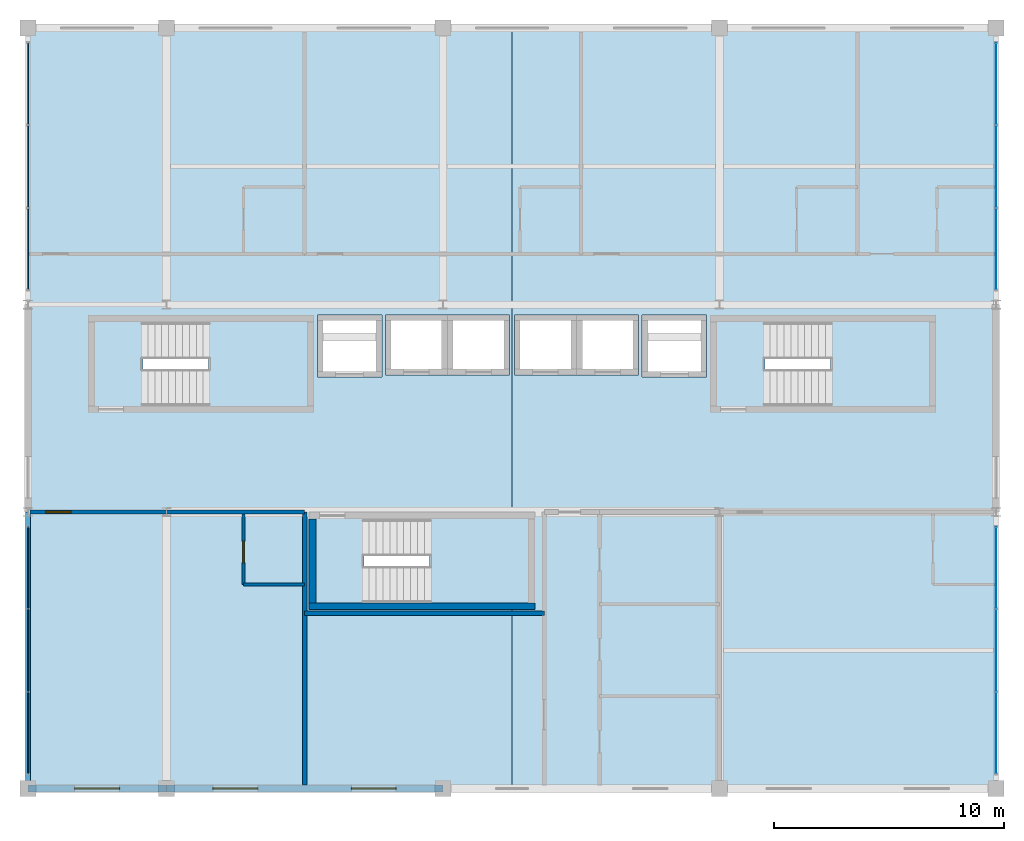
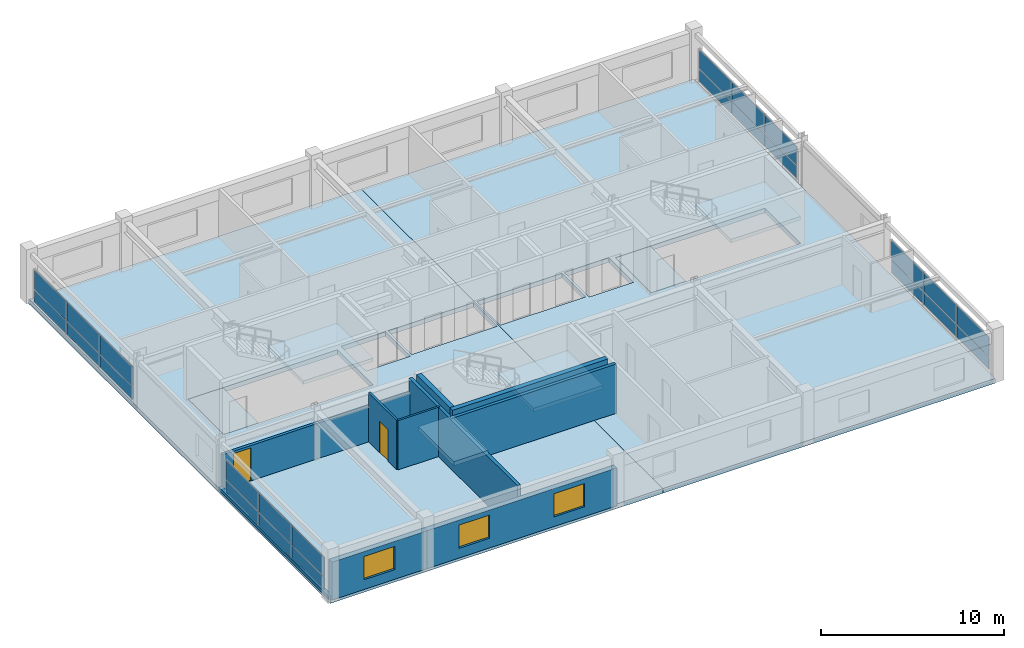
# One storey, part 18 of 22: 24 plates, 10 walls, 8 slabs, 3 windows, 2 doors, 5 openings, 7 elements without a shape of their own.
"""IFC4 building model written with IfcOpenShell, lengths in metres."""

from ifc_helpers import new_model, si_unit, direction, frame, frame_2d, origin, origin_2d, place, context, subcontext, project, spatial, polyline, rectangle, outline, extrude, material, layer, layer_set, type_object, element, fill, aggregate, save


model = new_model("IFC4")

# Units and contexts
model_context = context("Model", 3, precision=1e-05, world=origin(), true_north=direction((0.0, 1.0)))
body_context = subcontext(model_context, "Body", "Model", "MODEL_VIEW")
ifc_project = project(units=[si_unit("LENGTHUNIT", "METRE"), si_unit("AREAUNIT", "SQUARE_METRE"), si_unit("VOLUMEUNIT", "CUBIC_METRE"), si_unit("PLANEANGLEUNIT", "RADIAN"), si_unit("MASSUNIT", "GRAM", prefix="KILO")], contexts=[model_context])

# Site, building, storey
site_placement = place(None, origin())
site = spatial("IfcSite", under=ifc_project, at=site_placement, CompositionType="ELEMENT")
building_placement = place(site_placement, origin())
building = spatial("IfcBuilding", under=site, at=building_placement, Name="Kaldorvane Square Convention Centre", CompositionType="ELEMENT")
storey_placement = place(building_placement, frame((0.0, 0.0, 63.600006103515625)))
storey = spatial("IfcBuildingStorey", under=building, at=storey_placement, Name="L15", CompositionType="ELEMENT", Elevation=63.600006103515625)

# Curtain wall, plates
ifc_material_1 = material(Name="Anodized Aluminum and Low-E Insulated Glazing", Category="aluminium")
curtain_wall_type_1 = type_object("IfcCurtainWallType", Name="CW-UNI-HTL-A", PredefinedType="USERDEFINED", material=ifc_material_1)
curtain_wall_1_placement = place(storey_placement, origin())
curtain_wall_1 = element("IfcCurtainWall", 1, at=curtain_wall_1_placement, inside=storey, type_object=curtain_wall_type_1, Name="Curtain Wall CW-10 (L15)", ObjectType="UNITISED GLAZING", PredefinedType="USERDEFINED")
ifc_layer_1 = layer(ifc_material_1, 0.0240020751953125)
ifc_layer_set_1 = layer_set([ifc_layer_1], Name="Anodized Aluminum and Low-E Insulated Glazing")
plate_type_1 = type_object("IfcPlateType", Name="CW-PNL-11", PredefinedType="CURTAIN_PANEL", material=ifc_layer_set_1)
plate_1_placement = place(storey_placement, frame((78.0, 86.41499328613281, 0.204986572265625), z_axis=(0.0, 0.0, 1.0), x_axis=(0.0, 1.0, 0.0)))
plate_1 = element("IfcPlate", 2, at=plate_1_placement, type_object=plate_type_1, Name="CW-10 panel 1.1", PredefinedType="CURTAIN_PANEL", context=body_context, shape_type="SweptSolid", body=[
    extrude(rectangle(XDim=3.5099945068359375, YDim=0.0240020751953125, at=origin_2d()), origin(), (0.0, 0.0, 1.0), 0.8175048828125),
])
plate_2_placement = place(storey_placement, frame((78.0, 86.41499328613281, 1.0774993896484375), z_axis=(0.0, 0.0, 1.0), x_axis=(0.0, 1.0, 0.0)))
plate_2 = element("IfcPlate", 3, at=plate_2_placement, type_object=plate_type_1, Name="CW-10 panel 1.2", PredefinedType="CURTAIN_PANEL", context=body_context, shape_type="SweptSolid", body=[
    extrude(rectangle(XDim=3.5099945068359375, YDim=0.0240020751953125, at=origin_2d()), origin(), (0.0, 0.0, 1.0), 1.277496337890625),
])
plate_3_placement = place(storey_placement, frame((78.0, 90.0, 0.204986572265625), z_axis=(0.0, 0.0, 1.0), x_axis=(0.0, 1.0, 0.0)))
plate_3 = element("IfcPlate", 4, at=plate_3_placement, type_object=plate_type_1, Name="CW-10 panel 2.1", PredefinedType="CURTAIN_PANEL", context=body_context, shape_type="SweptSolid", body=[
    extrude(rectangle(XDim=3.5399932861328125, YDim=0.0240020751953125, at=origin_2d()), origin(), (0.0, 0.0, 1.0), 0.8175048828125),
])
plate_4_placement = place(storey_placement, frame((78.0, 90.0, 1.0774993896484375), z_axis=(0.0, 0.0, 1.0), x_axis=(0.0, 1.0, 0.0)))
plate_4 = element("IfcPlate", 5, at=plate_4_placement, type_object=plate_type_1, Name="CW-10 panel 2.2", PredefinedType="CURTAIN_PANEL", context=body_context, shape_type="SweptSolid", body=[
    extrude(rectangle(XDim=3.5399932861328125, YDim=0.0240020751953125, at=origin_2d()), origin(), (0.0, 0.0, 1.0), 1.277496337890625),
])
plate_5_placement = place(storey_placement, frame((78.0, 93.58500671386719, 0.204986572265625), z_axis=(0.0, 0.0, 1.0), x_axis=(0.0, 1.0, 0.0)))
plate_5 = element("IfcPlate", 6, at=plate_5_placement, type_object=plate_type_1, Name="CW-10 panel 3.1", PredefinedType="CURTAIN_PANEL", context=body_context, shape_type="SweptSolid", body=[
    extrude(rectangle(XDim=3.5099945068359375, YDim=0.0240020751953125, at=origin_2d()), origin(), (0.0, 0.0, 1.0), 0.8175048828125),
])
plate_6_placement = place(storey_placement, frame((78.0, 93.58500671386719, 1.0774993896484375), z_axis=(0.0, 0.0, 1.0), x_axis=(0.0, 1.0, 0.0)))
plate_6 = element("IfcPlate", 7, at=plate_6_placement, type_object=plate_type_1, Name="CW-10 panel 3.2", PredefinedType="CURTAIN_PANEL", context=body_context, shape_type="SweptSolid", body=[
    extrude(rectangle(XDim=3.5099945068359375, YDim=0.0240020751953125, at=origin_2d()), origin(), (0.0, 0.0, 1.0), 1.277496337890625),
])
aggregate(curtain_wall_1, [plate_1, plate_2, plate_3, plate_4, plate_5, plate_6])

curtain_wall_2_placement = place(storey_placement, origin())
curtain_wall_2 = element("IfcCurtainWall", 8, at=curtain_wall_2_placement, inside=storey, type_object=curtain_wall_type_1, Name="Curtain Wall CW-10 (L15)", ObjectType="UNITISED GLAZING", PredefinedType="USERDEFINED")
plate_7_placement = place(storey_placement, frame((78.0, 107.41499328613281, 0.204986572265625), z_axis=(0.0, 0.0, 1.0), x_axis=(0.0, 1.0, 0.0)))
plate_7 = element("IfcPlate", 9, at=plate_7_placement, type_object=plate_type_1, Name="CW-10 panel 1.1", PredefinedType="CURTAIN_PANEL", context=body_context, shape_type="SweptSolid", body=[
    extrude(rectangle(XDim=3.5099945068359375, YDim=0.0240020751953125, at=origin_2d()), origin(), (0.0, 0.0, 1.0), 0.8175048828125),
])
plate_8_placement = place(storey_placement, frame((78.0, 107.41499328613281, 1.0774993896484375), z_axis=(0.0, 0.0, 1.0), x_axis=(0.0, 1.0, 0.0)))
plate_8 = element("IfcPlate", 10, at=plate_8_placement, type_object=plate_type_1, Name="CW-10 panel 1.2", PredefinedType="CURTAIN_PANEL", context=body_context, shape_type="SweptSolid", body=[
    extrude(rectangle(XDim=3.5099945068359375, YDim=0.0240020751953125, at=origin_2d()), origin(), (0.0, 0.0, 1.0), 1.277496337890625),
])
plate_9_placement = place(storey_placement, frame((78.0, 111.0, 0.204986572265625), z_axis=(0.0, 0.0, 1.0), x_axis=(0.0, 1.0, 0.0)))
plate_9 = element("IfcPlate", 11, at=plate_9_placement, type_object=plate_type_1, Name="CW-10 panel 2.1", PredefinedType="CURTAIN_PANEL", context=body_context, shape_type="SweptSolid", body=[
    extrude(rectangle(XDim=3.5399932861328125, YDim=0.0240020751953125, at=origin_2d()), origin(), (0.0, 0.0, 1.0), 0.8175048828125),
])
plate_10_placement = place(storey_placement, frame((78.0, 111.0, 1.0774993896484375), z_axis=(0.0, 0.0, 1.0), x_axis=(0.0, 1.0, 0.0)))
plate_10 = element("IfcPlate", 12, at=plate_10_placement, type_object=plate_type_1, Name="CW-10 panel 2.2", PredefinedType="CURTAIN_PANEL", context=body_context, shape_type="SweptSolid", body=[
    extrude(rectangle(XDim=3.5399932861328125, YDim=0.0240020751953125, at=origin_2d()), origin(), (0.0, 0.0, 1.0), 1.277496337890625),
])
plate_11_placement = place(storey_placement, frame((78.0, 114.58500671386719, 0.204986572265625), z_axis=(0.0, 0.0, 1.0), x_axis=(0.0, 1.0, 0.0)))
plate_11 = element("IfcPlate", 13, at=plate_11_placement, type_object=plate_type_1, Name="CW-10 panel 3.1", PredefinedType="CURTAIN_PANEL", context=body_context, shape_type="SweptSolid", body=[
    extrude(rectangle(XDim=3.5099945068359375, YDim=0.0240020751953125, at=origin_2d()), origin(), (0.0, 0.0, 1.0), 0.8175048828125),
])
plate_12_placement = place(storey_placement, frame((78.0, 114.58500671386719, 1.0774993896484375), z_axis=(0.0, 0.0, 1.0), x_axis=(0.0, 1.0, 0.0)))
plate_12 = element("IfcPlate", 14, at=plate_12_placement, type_object=plate_type_1, Name="CW-10 panel 3.2", PredefinedType="CURTAIN_PANEL", context=body_context, shape_type="SweptSolid", body=[
    extrude(rectangle(XDim=3.5099945068359375, YDim=0.0240020751953125, at=origin_2d()), origin(), (0.0, 0.0, 1.0), 1.277496337890625),
])
aggregate(curtain_wall_2, [plate_7, plate_8, plate_9, plate_10, plate_11, plate_12])

curtain_wall_type_2 = type_object("IfcCurtainWallType", Name="CW-UNI-HTL-B", PredefinedType="USERDEFINED", material=ifc_material_1)
curtain_wall_3_placement = place(storey_placement, origin())
curtain_wall_3 = element("IfcCurtainWall", 15, at=curtain_wall_3_placement, inside=storey, type_object=curtain_wall_type_2, Name="Curtain Wall CW-11 (L15)", ObjectType="UNITISED GLAZING", PredefinedType="USERDEFINED")
ifc_layer_2 = layer(ifc_material_1, 0.0460052490234375)
ifc_layer_set_2 = layer_set([ifc_layer_2], Name="Anodized Aluminum and Low-E Insulated Glazing")
plate_type_2 = type_object("IfcPlateType", Name="CW-PNL-12", PredefinedType="CURTAIN_PANEL", material=ifc_layer_set_2)
plate_13_placement = place(storey_placement, frame((36.0, 93.58500671386719, 0.204986572265625), z_axis=(0.0, 0.0, 1.0), x_axis=(0.0, -1.0, 0.0)))
plate_13 = element("IfcPlate", 16, at=plate_13_placement, type_object=plate_type_2, Name="CW-11 panel 1.1", PredefinedType="CURTAIN_PANEL", context=body_context, shape_type="SweptSolid", body=[
    extrude(rectangle(XDim=3.5099945068359375, YDim=0.0460052490234375, at=origin_2d()), origin(), (0.0, 0.0, 1.0), 0.8175048828125),
])
plate_14_placement = place(storey_placement, frame((36.0, 93.58500671386719, 1.0774993896484375), z_axis=(0.0, 0.0, 1.0), x_axis=(0.0, -1.0, 0.0)))
plate_14 = element("IfcPlate", 17, at=plate_14_placement, type_object=plate_type_2, Name="CW-11 panel 1.2", PredefinedType="CURTAIN_PANEL", context=body_context, shape_type="SweptSolid", body=[
    extrude(rectangle(XDim=3.5099945068359375, YDim=0.0460052490234375, at=origin_2d()), origin(), (0.0, 0.0, 1.0), 1.277496337890625),
])
plate_15_placement = place(storey_placement, frame((36.0, 90.0, 0.204986572265625), z_axis=(0.0, 0.0, 1.0), x_axis=(0.0, -1.0, 0.0)))
plate_15 = element("IfcPlate", 18, at=plate_15_placement, type_object=plate_type_2, Name="CW-11 panel 2.1", PredefinedType="CURTAIN_PANEL", context=body_context, shape_type="SweptSolid", body=[
    extrude(rectangle(XDim=3.5399932861328125, YDim=0.0460052490234375, at=origin_2d()), origin(), (0.0, 0.0, 1.0), 0.8175048828125),
])
plate_16_placement = place(storey_placement, frame((36.0, 90.0, 1.0774993896484375), z_axis=(0.0, 0.0, 1.0), x_axis=(0.0, -1.0, 0.0)))
plate_16 = element("IfcPlate", 19, at=plate_16_placement, type_object=plate_type_2, Name="CW-11 panel 2.2", PredefinedType="CURTAIN_PANEL", context=body_context, shape_type="SweptSolid", body=[
    extrude(rectangle(XDim=3.5399932861328125, YDim=0.0460052490234375, at=origin_2d()), origin(), (0.0, 0.0, 1.0), 1.277496337890625),
])
plate_17_placement = place(storey_placement, frame((36.0, 86.41499328613281, 0.204986572265625), z_axis=(0.0, 0.0, 1.0), x_axis=(0.0, -1.0, 0.0)))
plate_17 = element("IfcPlate", 20, at=plate_17_placement, type_object=plate_type_2, Name="CW-11 panel 3.1", PredefinedType="CURTAIN_PANEL", context=body_context, shape_type="SweptSolid", body=[
    extrude(rectangle(XDim=3.5099945068359375, YDim=0.0460052490234375, at=origin_2d()), origin(), (0.0, 0.0, 1.0), 0.8175048828125),
])
plate_18_placement = place(storey_placement, frame((36.0, 86.41499328613281, 1.0774993896484375), z_axis=(0.0, 0.0, 1.0), x_axis=(0.0, -1.0, 0.0)))
plate_18 = element("IfcPlate", 21, at=plate_18_placement, type_object=plate_type_2, Name="CW-11 panel 3.2", PredefinedType="CURTAIN_PANEL", context=body_context, shape_type="SweptSolid", body=[
    extrude(rectangle(XDim=3.5099945068359375, YDim=0.0460052490234375, at=origin_2d()), origin(), (0.0, 0.0, 1.0), 1.277496337890625),
])
aggregate(curtain_wall_3, [plate_13, plate_14, plate_15, plate_16, plate_17, plate_18])

curtain_wall_4_placement = place(storey_placement, origin())
curtain_wall_4 = element("IfcCurtainWall", 22, at=curtain_wall_4_placement, inside=storey, type_object=curtain_wall_type_2, Name="Curtain Wall CW-11 (L15)", ObjectType="UNITISED GLAZING", PredefinedType="USERDEFINED")
plate_19_placement = place(storey_placement, frame((36.0, 114.58500671386719, 0.204986572265625), z_axis=(0.0, 0.0, 1.0), x_axis=(0.0, -1.0, 0.0)))
plate_19 = element("IfcPlate", 23, at=plate_19_placement, type_object=plate_type_2, Name="CW-11 panel 1.1", PredefinedType="CURTAIN_PANEL", context=body_context, shape_type="SweptSolid", body=[
    extrude(rectangle(XDim=3.5099945068359375, YDim=0.0460052490234375, at=origin_2d()), origin(), (0.0, 0.0, 1.0), 0.8175048828125),
])
plate_20_placement = place(storey_placement, frame((36.0, 114.58500671386719, 1.0774993896484375), z_axis=(0.0, 0.0, 1.0), x_axis=(0.0, -1.0, 0.0)))
plate_20 = element("IfcPlate", 24, at=plate_20_placement, type_object=plate_type_2, Name="CW-11 panel 1.2", PredefinedType="CURTAIN_PANEL", context=body_context, shape_type="SweptSolid", body=[
    extrude(rectangle(XDim=3.5099945068359375, YDim=0.0460052490234375, at=origin_2d()), origin(), (0.0, 0.0, 1.0), 1.277496337890625),
])
plate_21_placement = place(storey_placement, frame((36.0, 111.0, 0.204986572265625), z_axis=(0.0, 0.0, 1.0), x_axis=(0.0, -1.0, 0.0)))
plate_21 = element("IfcPlate", 25, at=plate_21_placement, type_object=plate_type_2, Name="CW-11 panel 2.1", PredefinedType="CURTAIN_PANEL", context=body_context, shape_type="SweptSolid", body=[
    extrude(rectangle(XDim=3.5399932861328125, YDim=0.0460052490234375, at=origin_2d()), origin(), (0.0, 0.0, 1.0), 0.8175048828125),
])
plate_22_placement = place(storey_placement, frame((36.0, 111.0, 1.0774993896484375), z_axis=(0.0, 0.0, 1.0), x_axis=(0.0, -1.0, 0.0)))
plate_22 = element("IfcPlate", 26, at=plate_22_placement, type_object=plate_type_2, Name="CW-11 panel 2.2", PredefinedType="CURTAIN_PANEL", context=body_context, shape_type="SweptSolid", body=[
    extrude(rectangle(XDim=3.5399932861328125, YDim=0.0460052490234375, at=origin_2d()), origin(), (0.0, 0.0, 1.0), 1.277496337890625),
])
plate_23_placement = place(storey_placement, frame((36.0, 107.41499328613281, 0.204986572265625), z_axis=(0.0, 0.0, 1.0), x_axis=(0.0, -1.0, 0.0)))
plate_23 = element("IfcPlate", 27, at=plate_23_placement, type_object=plate_type_2, Name="CW-11 panel 3.1", PredefinedType="CURTAIN_PANEL", context=body_context, shape_type="SweptSolid", body=[
    extrude(rectangle(XDim=3.5099945068359375, YDim=0.0460052490234375, at=origin_2d()), origin(), (0.0, 0.0, 1.0), 0.8175048828125),
])
plate_24_placement = place(storey_placement, frame((36.0, 107.41499328613281, 1.0774993896484375), z_axis=(0.0, 0.0, 1.0), x_axis=(0.0, -1.0, 0.0)))
plate_24 = element("IfcPlate", 28, at=plate_24_placement, type_object=plate_type_2, Name="CW-11 panel 3.2", PredefinedType="CURTAIN_PANEL", context=body_context, shape_type="SweptSolid", body=[
    extrude(rectangle(XDim=3.5099945068359375, YDim=0.0460052490234375, at=origin_2d()), origin(), (0.0, 0.0, 1.0), 1.277496337890625),
])
aggregate(curtain_wall_4, [plate_19, plate_20, plate_21, plate_22, plate_23, plate_24])

# Slabs
ifc_material_2 = material(Name="Concrete f'c = 42 MPa (Normalweight)", Category="concrete")
ifc_layer_3 = layer(ifc_material_2, 0.279998779296875)
ifc_layer_set_3 = layer_set([ifc_layer_3], Name="Concrete f'c = 42 MPa (Normalweight)")
slab_type_1 = type_object("IfcSlabType", Name="SL-FLND-280", PredefinedType="FLOOR", material=ifc_layer_set_3)
slab_1_placement = place(storey_placement, frame((0.0, 0.0, -0.279998779296875)))
element("IfcSlab", 29, at=slab_1_placement, inside=storey, type_object=slab_type_1, Name="Tower Exit Stair T1 Floor Landing (L15)", PredefinedType="FLOOR", context=body_context, shape_type="SweptSolid", body=[
    extrude(outline(polyline([(38.779998779296875, 100.49000549316406), (40.97999572753906, 100.49000549316406), (40.97999572753906, 104.3699951171875), (38.779998779296875, 104.3699951171875), (38.779998779296875, 100.49000549316406)])), origin(), (0.0, 0.0, 1.0), 0.279998779296875),
])
slab_2_placement = place(storey_placement, frame((0.0, 0.0, -0.279998779296875)))
element("IfcSlab", 30, at=slab_2_placement, inside=storey, type_object=slab_type_1, Name="Tower Exit Stair T2 Floor Landing (L15)", PredefinedType="FLOOR", context=body_context, shape_type="SweptSolid", body=[
    extrude(outline(polyline([(65.77999877929688, 100.49000549316406), (67.97999572753906, 100.49000549316406), (67.97999572753906, 104.3699951171875), (65.77999877929688, 104.3699951171875), (65.77999877929688, 100.49000549316406)])), origin(), (0.0, 0.0, 1.0), 0.279998779296875),
])
slab_3_placement = place(storey_placement, frame((0.0, 0.0, -0.279998779296875)))
element("IfcSlab", 31, at=slab_3_placement, inside=storey, type_object=slab_type_1, Name="Tower Exit Stair T3 Floor Landing (L15)", PredefinedType="FLOOR", context=body_context, shape_type="SweptSolid", body=[
    extrude(outline(polyline([(48.3800048828125, 91.94000244140625), (50.58000183105469, 91.94000244140625), (50.58000183105469, 95.82000732421875), (48.3800048828125, 95.82000732421875), (48.3800048828125, 91.94000244140625)])), origin(), (0.0, 0.0, 1.0), 0.279998779296875),
])
ifc_layer_4 = layer(ifc_material_2, 0.30999755859375)
ifc_layer_set_4 = layer_set([ifc_layer_4], Name="Concrete f'c = 42 MPa (Normalweight)")
slab_type_2 = type_object("IfcSlabType", Name="SL-HTL-250", PredefinedType="FLOOR", material=ifc_layer_set_4)
slab_4_placement = place(storey_placement, frame((0.0, 0.0, -0.3100128173828125)))
element("IfcSlab", 32, at=slab_4_placement, inside=storey, type_object=slab_type_2, Name="Hotel Tower Floor Slab L15-1.1", PredefinedType="FLOOR", context=body_context, shape_type="SweptSolid", body=[
    extrude(outline(polyline([(36.0, 117.0), (57.0, 117.0), (57.0, 95.82000732421875), (48.3800048828125, 95.82000732421875), (48.3800048828125, 91.94000244140625), (57.0, 91.94000244140625), (57.0, 84.0), (36.0, 84.0), (36.0, 117.0)]), holes=[polyline([(38.779998779296875, 104.3699951171875), (38.779998779296875, 100.49000549316406), (48.220001220703125, 100.49000549316406), (48.220001220703125, 104.3699951171875), (38.779998779296875, 104.3699951171875)]), polyline([(48.55000305175781, 104.55000305175781), (48.55000305175781, 101.85000610351562), (51.350006103515625, 101.85000610351562), (51.350006103515625, 104.55000305175781), (48.55000305175781, 104.55000305175781)]), polyline([(51.5, 104.55000305175781), (51.5, 101.94999694824219), (54.19999694824219, 101.94999694824219), (56.899993896484375, 101.94999694824219), (56.899993896484375, 104.55000305175781), (54.19999694824219, 104.55000305175781), (51.5, 104.55000305175781)])]), origin(), (0.0, 0.0, 1.0), 0.3100128173828125),
])
slab_5_placement = place(storey_placement, frame((0.0, 0.0, -0.3100128173828125)))
element("IfcSlab", 33, at=slab_5_placement, inside=storey, type_object=slab_type_2, Name="Hotel Tower Floor Slab L15-2.1", PredefinedType="FLOOR", context=body_context, shape_type="SweptSolid", body=[
    extrude(outline(polyline([(78.0, 117.0), (78.0, 84.0), (57.0, 84.0), (57.0, 91.94000244140625), (57.82000732421875, 91.94000244140625), (57.82000732421875, 95.82000732421875), (57.0, 95.82000732421875), (57.0, 117.0), (78.0, 117.0)]), holes=[polyline([(65.77999877929688, 104.3699951171875), (65.77999877929688, 100.49000549316406), (75.22000122070312, 100.49000549316406), (75.22000122070312, 104.3699951171875), (65.77999877929688, 104.3699951171875)]), polyline([(62.649993896484375, 104.55000305175781), (62.649993896484375, 101.85000610351562), (65.44999694824219, 101.85000610351562), (65.44999694824219, 104.55000305175781), (62.649993896484375, 104.55000305175781)]), polyline([(57.100006103515625, 104.55000305175781), (57.100006103515625, 101.94999694824219), (59.80000305175781, 101.94999694824219), (62.5, 101.94999694824219), (62.5, 104.55000305175781), (59.80000305175781, 104.55000305175781), (57.100006103515625, 104.55000305175781)])]), origin(), (0.0, 0.0, 1.0), 0.3100128173828125),
])

# Stair, slab
stair_type = type_object("IfcStairType", Name="ST-DL-1600-3600", PredefinedType="HALF_TURN_STAIR", material=ifc_material_2)
stair_1_placement = place(storey_placement, origin())
stair_1 = element("IfcStair", 34, at=stair_1_placement, inside=storey, type_object=stair_type, Name="Tower Exit Stair T1 (L15)", PredefinedType="HALF_TURN_STAIR")
ifc_layer_5 = layer(ifc_material_2, 0.2400054931640625)
ifc_layer_set_5 = layer_set([ifc_layer_5], Name="Concrete f'c = 42 MPa (Normalweight)")
slab_type_3 = type_object("IfcSlabType", Name="SL-LAND-240", PredefinedType="LANDING", material=ifc_layer_set_5)
slab_6_placement = place(storey_placement, frame((0.0, 0.0, 1.55999755859375)))
slab_6 = element("IfcSlab", 35, at=slab_6_placement, type_object=slab_type_3, Name="Tower Exit Stair T1 Half Landing (L15)", PredefinedType="LANDING", context=body_context, shape_type="SweptSolid", body=[
    extrude(outline(polyline([(43.82000732421875, 100.49000549316406), (48.220001220703125, 100.49000549316406), (48.220001220703125, 104.3699951171875), (43.82000732421875, 104.3699951171875), (43.82000732421875, 100.49000549316406)])), origin(), (0.0, 0.0, 1.0), 0.239990234375),
])
aggregate(stair_1, [slab_6])

stair_2_placement = place(storey_placement, origin())
stair_2 = element("IfcStair", 36, at=stair_2_placement, inside=storey, type_object=stair_type, Name="Tower Exit Stair T2 (L15)", PredefinedType="HALF_TURN_STAIR")
slab_7_placement = place(storey_placement, frame((0.0, 0.0, 1.55999755859375)))
slab_7 = element("IfcSlab", 37, at=slab_7_placement, type_object=slab_type_3, Name="Tower Exit Stair T2 Half Landing (L15)", PredefinedType="LANDING", context=body_context, shape_type="SweptSolid", body=[
    extrude(outline(polyline([(70.82000732421875, 100.49000549316406), (75.22000122070312, 100.49000549316406), (75.22000122070312, 104.3699951171875), (70.82000732421875, 104.3699951171875), (70.82000732421875, 100.49000549316406)])), origin(), (0.0, 0.0, 1.0), 0.239990234375),
])
aggregate(stair_2, [slab_7])

stair_3_placement = place(storey_placement, origin())
stair_3 = element("IfcStair", 38, at=stair_3_placement, inside=storey, type_object=stair_type, Name="Tower Exit Stair T3 (L15)", PredefinedType="HALF_TURN_STAIR")
slab_8_placement = place(storey_placement, frame((0.0, 0.0, 1.55999755859375)))
slab_8 = element("IfcSlab", 39, at=slab_8_placement, type_object=slab_type_3, Name="Tower Exit Stair T3 Half Landing (L15)", PredefinedType="LANDING", context=body_context, shape_type="SweptSolid", body=[
    extrude(outline(polyline([(53.41999816894531, 91.94000244140625), (57.82000732421875, 91.94000244140625), (57.82000732421875, 95.82000732421875), (53.41999816894531, 95.82000732421875), (53.41999816894531, 91.94000244140625)])), origin(), (0.0, 0.0, 1.0), 0.239990234375),
])
aggregate(stair_3, [slab_8])

# Wall, opening, door
ifc_material_3 = material(Name="Fire-Rated Gypsum Board on Acoustic Steel Studs", Category="steel")
ifc_layer_6 = layer(ifc_material_3, 0.125)
ifc_layer_set_6 = layer_set([ifc_layer_6], Name="Fire-Rated Gypsum Board on Acoustic Steel Studs")
wall_type_1 = type_object("IfcWallType", Name="WL-BATH-125", PredefinedType="PARTITIONING", material=ifc_layer_set_6)
wall_1_placement = place(storey_placement, frame((45.350006103515625, 92.85000610351562, 0.0), z_axis=(0.0, 0.0, 1.0), x_axis=(0.0, 1.0, 0.0)))
wall_1 = element("IfcWall", 40, at=wall_1_placement, inside=storey, type_object=wall_type_1, Name="En-Suite 1505 West Wall", PredefinedType="PARTITIONING", context=body_context, shape_type="SweptSolid", body=[
    extrude(rectangle(XDim=3.05999755859375, YDim=0.125, at=frame_2d((1.529998779296875, 0.0))), origin(), (0.0, 0.0, 1.0), 3.2899932861328125),
])
opening_1_placement = place(wall_1_placement, frame((0.9499969482421875, 0.0, 0.0)))
opening_1 = element("IfcOpeningElement", 41, at=opening_1_placement, cuts=wall_1, Name="Opening ID-12", PredefinedType="OPENING", context=body_context, shape_type="SweptSolid", body=[
    extrude(rectangle(XDim=0.9199981689453125, YDim=2.100006103515625, at=frame_2d((0.459991455078125, 1.0500030517578125))), frame((0.0, 0.0774993896484375, 0.0), z_axis=(0.0, -1.0, 0.0), x_axis=(1.0, 0.0, 0.0)), (0.0, 0.0, 1.0), 0.154998779296875),
])
ifc_material_4 = material(Name="Architectural Solid-Core White Oak")
door_type_1 = type_object("IfcDoorType", Name="DR-BATH-0920X2100", OperationType="SINGLE_SWING_RIGHT", PredefinedType="DOOR", material=ifc_material_4)
door_1_placement = place(opening_1_placement, origin())
door_1 = element("IfcDoor", 42, at=door_1_placement, inside=storey, type_object=door_type_1, Name="En-Suite Bathroom 1505 Door", OperationType="SINGLE_SWING_RIGHT", OverallHeight=2.100006103515625, OverallWidth=0.9199981689453125, PredefinedType="DOOR", context=body_context, shape_type="SweptSolid", body=[
    extrude(rectangle(XDim=0.9199981689453125, YDim=2.100006103515625, at=frame_2d((0.459991455078125, 1.0500030517578125))), frame((0.0, 0.024993896484375, 0.0), z_axis=(0.0, -1.0, 0.0), x_axis=(1.0, 0.0, 0.0)), (0.0, 0.0, 1.0), 0.0500030517578125),
])
fill(opening_1, door_1)

# Walls
wall_2_placement = place(storey_placement, frame((45.350006103515625, 92.85000610351562, 0.0), z_axis=(0.0, 0.0, 1.0), x_axis=(1.0, 0.0, 0.0)))
element("IfcWall", 43, at=wall_2_placement, inside=storey, type_object=wall_type_1, Name="En-Suite 1505 South Wall", PredefinedType="PARTITIONING", context=body_context, shape_type="SweptSolid", body=[
    extrude(rectangle(XDim=2.649993896484375, YDim=0.125, at=frame_2d((1.3249969482421875, 0.0))), origin(), (0.0, 0.0, 1.0), 3.2899932861328125),
])
ifc_layer_7 = layer(ifc_material_3, 0.1999969482421875)
ifc_layer_set_7 = layer_set([ifc_layer_7], Name="Fire-Rated Gypsum Board on Acoustic Steel Studs")
wall_type_2 = type_object("IfcWallType", Name="WL-CORR-200", PredefinedType="PARTITIONING", material=ifc_layer_set_7)
wall_3_placement = place(storey_placement, frame((48.0, 91.60000610351562, 0.0), z_axis=(0.0, 0.0, 1.0), x_axis=(1.0, 0.0, 0.0)))
element("IfcWall", 44, at=wall_3_placement, inside=storey, type_object=wall_type_2, Name="Housekeeping North Wall (L15)", PredefinedType="PARTITIONING", context=body_context, shape_type="SweptSolid", body=[
    extrude(rectangle(XDim=10.399993896484375, YDim=0.1999969482421875, at=frame_2d((5.1999969482421875, 0.0))), origin(), (0.0, 0.0, 1.0), 3.2899932861328125),
])
wall_4_placement = place(storey_placement, frame((48.0, 84.16000366210938, 0.0), z_axis=(0.0, 0.0, 1.0), x_axis=(0.0, 1.0, 0.0)))
element("IfcWall", 45, at=wall_4_placement, inside=storey, type_object=wall_type_2, Name="Service Block West Wall (L15)", PredefinedType="PARTITIONING", context=body_context, shape_type="SweptSolid", body=[
    extrude(rectangle(XDim=11.839996337890625, YDim=0.1999969482421875, at=frame_2d((5.9199981689453125, 0.0))), origin(), (0.0, 0.0, 1.0), 3.2899932861328125),
])

# Wall, opening, window
ifc_material_5 = material(Name="Concrete f'c = 35 MPa (Normalweight)", Category="concrete")
ifc_layer_8 = layer(ifc_material_5, 0.32000732421875)
ifc_layer_set_8 = layer_set([ifc_layer_8], Name="Concrete f'c = 35 MPa (Normalweight)")
wall_type_3 = type_object("IfcWallType", Name="WL-EXT-320", PredefinedType="STANDARD", material=ifc_layer_set_8)
wall_5_placement = place(storey_placement, frame((36.0, 84.0, 0.0), z_axis=(0.0, 0.0, 1.0), x_axis=(1.0, 0.0, 0.0)))
wall_5 = element("IfcWall", 46, at=wall_5_placement, inside=storey, type_object=wall_type_3, Name="Hotel S Brutalist Facade Wall (L15)", PredefinedType="STANDARD", context=body_context, shape_type="SweptSolid", body=[
    extrude(rectangle(XDim=6.0, YDim=0.32000732421875, at=frame_2d((3.0, 0.0))), origin(), (0.0, 0.0, 1.0), 2.5359954833984375),
])
opening_2_placement = place(wall_5_placement, frame((2.024993896484375, 0.0, 0.649993896484375)))
opening_2 = element("IfcOpeningElement", 47, at=opening_2_placement, cuts=wall_5, Name="Opening W-12", PredefinedType="OPENING", context=body_context, shape_type="SweptSolid", body=[
    extrude(rectangle(XDim=1.9499969482421875, YDim=1.5500030517578125, at=frame_2d((0.975006103515625, 0.774993896484375))), frame((0.0, 0.1750030517578125, 0.0), z_axis=(0.0, -1.0, 0.0), x_axis=(1.0, 0.0, 0.0)), (0.0, 0.0, 1.0), 0.350006103515625),
])
window_type = type_object("IfcWindowType", Name="WN-HTL-1950X1550", PartitioningType="DOUBLE_PANEL_VERTICAL", PredefinedType="WINDOW", material=ifc_material_1)
window_1_placement = place(opening_2_placement, origin())
window_1 = element("IfcWindow", 48, at=window_1_placement, inside=storey, type_object=window_type, Name="Hotel S Window (L15)", OverallHeight=1.5500030517578125, OverallWidth=1.9499969482421875, PartitioningType="DOUBLE_PANEL_VERTICAL", PredefinedType="WINDOW", context=body_context, shape_type="SweptSolid", body=[
    extrude(rectangle(XDim=1.9499969482421875, YDim=1.5500030517578125, at=frame_2d((0.975006103515625, 0.774993896484375))), frame((0.0, 0.029998779296875, 0.0), z_axis=(0.0, -1.0, 0.0), x_axis=(1.0, 0.0, 0.0)), (0.0, 0.0, 1.0), 0.05999755859375),
])
fill(opening_2, window_1)

# Wall, openings, windows
wall_6_placement = place(storey_placement, frame((42.0, 84.0, 0.0), z_axis=(0.0, 0.0, 1.0), x_axis=(1.0, 0.0, 0.0)))
wall_6 = element("IfcWall", 49, at=wall_6_placement, inside=storey, type_object=wall_type_3, Name="Hotel S Brutalist Facade Wall (L15)", PredefinedType="STANDARD", context=body_context, shape_type="SweptSolid", body=[
    extrude(rectangle(XDim=12.0, YDim=0.32000732421875, at=frame_2d((6.0, 0.0))), origin(), (0.0, 0.0, 1.0), 2.5359954833984375),
])
opening_3_placement = place(wall_6_placement, frame((2.024993896484375, 0.0, 0.649993896484375)))
opening_3 = element("IfcOpeningElement", 50, at=opening_3_placement, cuts=wall_6, Name="Opening W-12", PredefinedType="OPENING", context=body_context, shape_type="SweptSolid", body=[
    extrude(rectangle(XDim=1.9499969482421875, YDim=1.5500030517578125, at=frame_2d((0.975006103515625, 0.774993896484375))), frame((0.0, 0.1750030517578125, 0.0), z_axis=(0.0, -1.0, 0.0), x_axis=(1.0, 0.0, 0.0)), (0.0, 0.0, 1.0), 0.350006103515625),
])
opening_4_placement = place(wall_6_placement, frame((8.024993896484375, 0.0, 0.649993896484375)))
opening_4 = element("IfcOpeningElement", 51, at=opening_4_placement, cuts=wall_6, Name="Opening W-12", PredefinedType="OPENING", context=body_context, shape_type="SweptSolid", body=[
    extrude(rectangle(XDim=1.9499969482421875, YDim=1.5500030517578125, at=frame_2d((0.975006103515625, 0.774993896484375))), frame((0.0, 0.1750030517578125, 0.0), z_axis=(0.0, -1.0, 0.0), x_axis=(1.0, 0.0, 0.0)), (0.0, 0.0, 1.0), 0.350006103515625),
])
window_2_placement = place(opening_3_placement, origin())
window_2 = element("IfcWindow", 52, at=window_2_placement, inside=storey, type_object=window_type, Name="Hotel S Window (L15)", OverallHeight=1.5500030517578125, OverallWidth=1.9499969482421875, PartitioningType="DOUBLE_PANEL_VERTICAL", PredefinedType="WINDOW", context=body_context, shape_type="SweptSolid", body=[
    extrude(rectangle(XDim=1.9499969482421875, YDim=1.5500030517578125, at=frame_2d((0.975006103515625, 0.774993896484375))), frame((0.0, 0.029998779296875, 0.0), z_axis=(0.0, -1.0, 0.0), x_axis=(1.0, 0.0, 0.0)), (0.0, 0.0, 1.0), 0.05999755859375),
])
fill(opening_3, window_2)
window_3_placement = place(opening_4_placement, origin())
window_3 = element("IfcWindow", 53, at=window_3_placement, inside=storey, type_object=window_type, Name="Hotel S Window (L15)", OverallHeight=1.5500030517578125, OverallWidth=1.9499969482421875, PartitioningType="DOUBLE_PANEL_VERTICAL", PredefinedType="WINDOW", context=body_context, shape_type="SweptSolid", body=[
    extrude(rectangle(XDim=1.9499969482421875, YDim=1.5500030517578125, at=frame_2d((0.975006103515625, 0.774993896484375))), frame((0.0, 0.029998779296875, 0.0), z_axis=(0.0, -1.0, 0.0), x_axis=(1.0, 0.0, 0.0)), (0.0, 0.0, 1.0), 0.05999755859375),
])
fill(opening_4, window_3)

# Walls
ifc_layer_9 = layer(ifc_material_5, 0.220001220703125)
ifc_layer_set_9 = layer_set([ifc_layer_9], Name="Concrete f'c = 35 MPa (Normalweight)")
wall_type_4 = type_object("IfcWallType", Name="WL-PAR-220", PredefinedType="PARAPET", material=ifc_layer_set_9)
wall_7_placement = place(storey_placement, frame((36.0, 96.0, 0.0), z_axis=(0.0, 0.0, 1.0), x_axis=(0.0, -1.0, 0.0)))
element("IfcWall", 54, at=wall_7_placement, inside=storey, type_object=wall_type_4, Name="Hotel End Curtain-Wall Sill (L15)", PredefinedType="PARAPET", context=body_context, shape_type="SweptSolid", body=[
    extrude(rectangle(XDim=12.0, YDim=0.220001220703125, at=frame_2d((6.0, 0.0))), origin(), (0.0, 0.0, 1.0), 0.1999969482421875),
])
ifc_material_6 = material(Name="Concrete f'c = 55 MPa (Normalweight)", Category="concrete")
ifc_layer_10 = layer(ifc_material_6, 0.3000030517578125)
ifc_layer_set_10 = layer_set([ifc_layer_10], Name="Concrete f'c = 55 MPa (Normalweight)")
wall_type_5 = type_object("IfcWallType", Name="WL-SHAFT-300", PredefinedType="SHEAR", material=ifc_layer_set_10)
wall_8_placement = place(storey_placement, frame((48.19999694824219, 91.91000366210938, 0.0), z_axis=(0.0, 0.0, 1.0), x_axis=(1.0, 0.0, 0.0)))
element("IfcWall", 55, at=wall_8_placement, inside=storey, type_object=wall_type_5, Name="Core Enclosure Wall stair:ST-T3-S (L15)", PredefinedType="SHEAR", context=body_context, shape_type="SweptSolid", body=[
    extrude(rectangle(XDim=9.800003051757812, YDim=0.3000030517578125, at=frame_2d((4.899993896484375, 0.0))), origin(), (0.0, 0.0, 1.0), 3.5999908447265625),
])
wall_9_placement = place(storey_placement, frame((48.350006103515625, 95.69999694824219, 0.0), z_axis=(0.0, 0.0, 1.0), x_axis=(0.0, -1.0, 0.0)))
element("IfcWall", 56, at=wall_9_placement, inside=storey, type_object=wall_type_5, Name="Core Enclosure Wall stair:ST-T3-W (L15)", PredefinedType="SHEAR", context=body_context, shape_type="SweptSolid", body=[
    extrude(rectangle(XDim=3.6399993896484375, YDim=0.3000030517578125, at=frame_2d((1.82000732421875, 0.0))), origin(), (0.0, 0.0, 1.0), 3.5999908447265625),
])

# Wall, opening, door
ifc_layer_11 = layer(ifc_material_3, 0.17999267578125)
ifc_layer_set_11 = layer_set([ifc_layer_11], Name="Fire-Rated Gypsum Board on Acoustic Steel Studs")
wall_type_6 = type_object("IfcWallType", Name="WL-UNIT-180", PredefinedType="PARTITIONING", material=ifc_layer_set_11)
wall_10_placement = place(storey_placement, frame((36.08500671386719, 96.0, 0.0), z_axis=(0.0, 0.0, 1.0), x_axis=(1.0, 0.0, 0.0)))
wall_10 = element("IfcWall", 57, at=wall_10_placement, inside=storey, type_object=wall_type_6, Name="Presidential Suite 1505 Corridor Wall", PredefinedType="PARTITIONING", context=body_context, shape_type="SweptSolid", body=[
    extrude(rectangle(XDim=11.914993286132812, YDim=0.17999267578125, at=frame_2d((5.957489013671875, 0.0))), origin(), (0.0, 0.0, 1.0), 2.3589935302734375),
])
opening_5_placement = place(wall_10_placement, frame((0.68499755859375, 0.0, 0.0)))
opening_5 = element("IfcOpeningElement", 58, at=opening_5_placement, cuts=wall_10, Name="Opening ID-11", PredefinedType="OPENING", context=body_context, shape_type="SweptSolid", body=[
    extrude(rectangle(XDim=1.100006103515625, YDim=2.1999969482421875, at=frame_2d((0.5500030517578125, 1.100006103515625))), frame((0.0, 0.1049957275390625, 0.0), z_axis=(0.0, -1.0, 0.0), x_axis=(1.0, 0.0, 0.0)), (0.0, 0.0, 1.0), 0.209991455078125),
])
door_type_2 = type_object("IfcDoorType", Name="DR-SUITE-1100X2200", OperationType="SINGLE_SWING_LEFT", PredefinedType="DOOR", material=ifc_material_4)
door_2_placement = place(opening_5_placement, origin())
door_2 = element("IfcDoor", 59, at=door_2_placement, inside=storey, type_object=door_type_2, Name="Presidential Suite 1505 Entry Door", OperationType="SINGLE_SWING_LEFT", OverallHeight=2.1999969482421875, OverallWidth=1.100006103515625, PredefinedType="DOOR", context=body_context, shape_type="SweptSolid", body=[
    extrude(rectangle(XDim=1.100006103515625, YDim=2.1999969482421875, at=frame_2d((0.5500030517578125, 1.100006103515625))), frame((0.0, 0.024993896484375, 0.0), z_axis=(0.0, -1.0, 0.0), x_axis=(1.0, 0.0, 0.0)), (0.0, 0.0, 1.0), 0.0500030517578125),
])
fill(opening_5, door_2)

save(model, "model.ifc")
